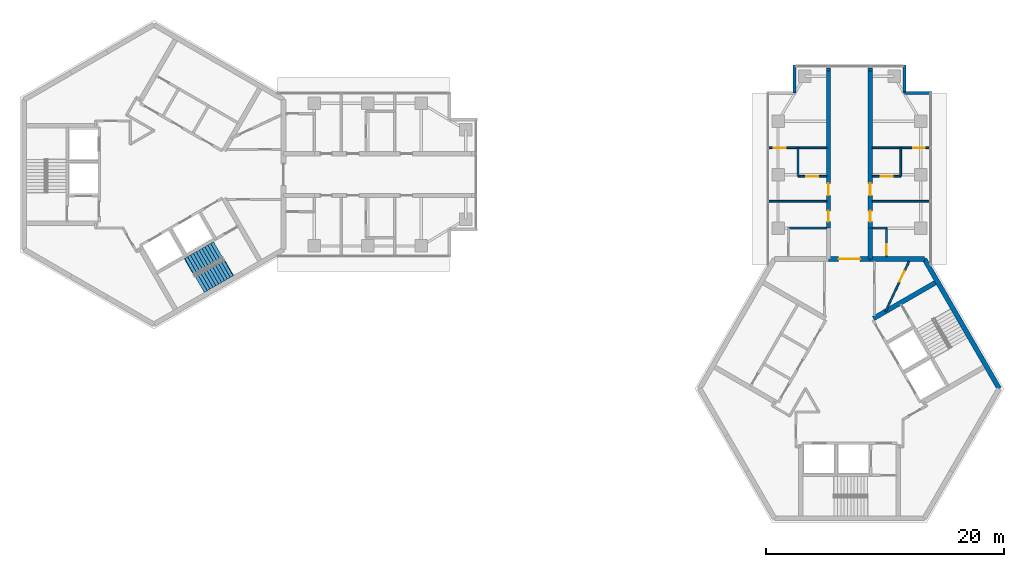
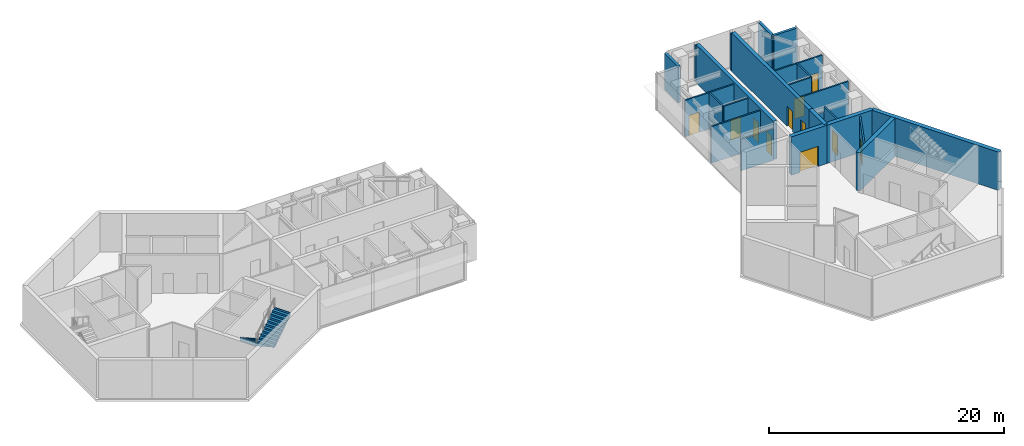
# One storey, part 9 of 11: 24 walls, 11 doors, 2 stair flights, 11 openings, 1 element without a shape of its own.
"""IFC4 building model written with IfcOpenShell, lengths in metres."""

import ifcopenshell
import ifcopenshell.guid

model = None  # the IFC model being written
_history = None  # IfcOwnerHistory: only IFC2X3 demands one
_inside = {}  # id of a spatial element -> (the spatial element, [elements in it])
_under = {}  # id of a project, library or spatial element -> (it, [spatial elements below it])
_declared = {}  # id of a project -> (the project, [libraries it declares])
_typed = {}  # id of a type object -> (the type object, [elements of that type])
_made_of = {}  # id of a material, layer set ... -> (it, [elements and type objects made of it])


def new_model(schema):
    """Start an empty IFC model of exactly this schema.

    Asked for "IFC4X3", IfcOpenShell would pick the latest addendum, in which some entities
    have other attributes; the version numbers below select the first issue.
    IFC2X3 requires an IfcOwnerHistory on every rooted entity: one is made here for all.
    """
    global model, _history
    if schema == "IFC4X3":
        model = ifcopenshell.file(schema_version=(4, 3, 0, 0))
    else:
        model = ifcopenshell.file(schema=schema)
    _inside.clear()
    _under.clear()
    _declared.clear()
    _typed.clear()
    _made_of.clear()
    _history = None
    if model.schema == "IFC2X3":
        org = make("IfcOrganization", Name="unknown")
        user = make(
            "IfcPersonAndOrganization",
            ThePerson=make("IfcPerson", FamilyName="unknown"),
            TheOrganization=org,
        )
        app = make(
            "IfcApplication",
            ApplicationDeveloper=org,
            Version="unknown",
            ApplicationFullName="unknown",
            ApplicationIdentifier="unknown",
        )
        _history = make(
            "IfcOwnerHistory",
            OwningUser=user,
            OwningApplication=app,
            ChangeAction="ADDED",
            CreationDate=0,
        )
    return model


def make(cls, **values):
    """One entity of the class cls with the attributes given. An attribute that is None is left unset."""
    return model.create_entity(
        cls, **{name: value for name, value in values.items() if value is not None}
    )


def rooted(cls, **values):
    """An entity with a GlobalId (a new one), such as an element, a storey or a relation."""
    return make(cls, GlobalId=ifcopenshell.guid.new(), OwnerHistory=_history, **values)


def si_unit(unit_type, name, prefix=None):
    """IfcSIUnit, for example si_unit("LENGTHUNIT", "METRE", prefix="MILLI")."""
    return make("IfcSIUnit", UnitType=unit_type, Prefix=prefix, Name=name)


def assignment(units):
    """IfcUnitAssignment: the units of a project."""
    return None if units is None else make("IfcUnitAssignment", Units=units)


def point(xyz):
    """IfcCartesianPoint."""
    return None if xyz is None else make("IfcCartesianPoint", Coordinates=xyz)


def direction(xyz):
    """IfcDirection."""
    return None if xyz is None else make("IfcDirection", DirectionRatios=xyz)


def frame(location, z_axis=None, x_axis=None):
    """IfcAxis2Placement3D, a coordinate frame: its origin and axes. An axis left out is left unset."""
    return make(
        "IfcAxis2Placement3D",
        Location=point(location),
        Axis=direction(z_axis),
        RefDirection=direction(x_axis),
    )


def frame_2d(location, x_axis=None):
    """IfcAxis2Placement2D, a coordinate frame in the plane: its origin and x axis."""
    return make(
        "IfcAxis2Placement2D", Location=point(location), RefDirection=direction(x_axis)
    )


def origin():
    """The frame at (0, 0, 0) with its axes left unset."""
    return frame((0.0, 0.0, 0.0))


def place(relative_to, where):
    """IfcLocalPlacement: puts the frame where relative to a parent placement (None: the world)."""
    return make(
        "IfcLocalPlacement", PlacementRelTo=relative_to, RelativePlacement=where
    )


def context(
    kind, dimensions, precision=None, world=None, true_north=None, identifier=None
):
    """IfcGeometricRepresentationContext, for example the 3D "Model" context."""
    return make(
        "IfcGeometricRepresentationContext",
        ContextIdentifier=identifier,
        ContextType=kind,
        CoordinateSpaceDimension=dimensions,
        Precision=precision,
        WorldCoordinateSystem=world,
        TrueNorth=true_north,
    )


def subcontext(parent, identifier, kind, view, scale=None):
    """IfcGeometricRepresentationSubContext, for example "Body" below "Model"."""
    return make(
        "IfcGeometricRepresentationSubContext",
        ContextIdentifier=identifier,
        ContextType=kind,
        ParentContext=parent,
        TargetScale=scale,
        TargetView=view,
    )


def project(units=None, contexts=None):
    """IfcProject with its units and contexts."""
    return rooted(
        "IfcProject",
        Name="project",
        RepresentationContexts=contexts,
        UnitsInContext=assignment(units),
    )


def spatial(cls, under=None, at=None, **own):
    """A site, building, storey or space (cls), placed at a placement, below another one or the project."""
    s = rooted(cls, ObjectPlacement=at, **own)
    if under is not None:
        _under.setdefault(under.id(), (under, []))[1].append(s)
    return s


def polyline(points):
    """IfcPolyline through the points."""
    return make("IfcPolyline", Points=[point(p) for p in points])


def profile(cls, at=None, kind="AREA", **sizes):
    """A parametric profile (cls). Its sizes go by their IFC names, for example OverallWidth=200.0."""
    return make(cls, ProfileType=kind, Position=at, **sizes)


def rectangle(**sizes):
    """IfcRectangleProfileDef."""
    return profile("IfcRectangleProfileDef", **sizes)


def outline(outer, holes=None, kind="AREA"):
    """IfcArbitraryClosedProfileDef: a profile drawn as a closed curve; with holes, ...WithVoids."""
    if holes is None:
        return make("IfcArbitraryClosedProfileDef", ProfileType=kind, OuterCurve=outer)
    return make(
        "IfcArbitraryProfileDefWithVoids",
        ProfileType=kind,
        OuterCurve=outer,
        InnerCurves=holes,
    )


def extrude(swept, where, along, depth):
    """IfcExtrudedAreaSolid: the profile swept, set in the frame where, extruded along a direction by depth."""
    return make(
        "IfcExtrudedAreaSolid",
        SweptArea=swept,
        Position=where,
        ExtrudedDirection=direction(along),
        Depth=depth,
    )


def shape(context_of_items, identifier, shape_type, items):
    """IfcShapeRepresentation: the items that make up one representation, for example the "Body"."""
    return make(
        "IfcShapeRepresentation",
        ContextOfItems=context_of_items,
        RepresentationIdentifier=identifier,
        RepresentationType=shape_type,
        Items=items,
    )


def material(Name=None, Category=None):
    """IfcMaterial."""
    return make("IfcMaterial", Name=Name, Category=Category)


def layer(
    of_material, thickness, ventilated=None, Name=None, Category=None, Priority=None
):
    """IfcMaterialLayer: one layer of a wall or slab, of a material (None: an air gap)."""
    return make(
        "IfcMaterialLayer",
        Material=of_material,
        LayerThickness=thickness,
        IsVentilated=ventilated,
        Name=Name,
        Category=Category,
        Priority=Priority,
    )


def layer_set(layers, Name=None):
    """IfcMaterialLayerSet."""
    return make("IfcMaterialLayerSet", MaterialLayers=layers, LayerSetName=Name)


def made_of(thing, what):
    """Note that an element or type object is made of a material, layer set ...; save() writes the relation."""
    if what is not None:
        _made_of.setdefault(what.id(), (what, []))[1].append(thing)
    return thing


def type_object(cls, material=None, **own):
    """A type object (cls), such as IfcWallType, which elements share."""
    return made_of(rooted(cls, **own), material)


def element(
    cls,
    number,
    at=None,
    inside=None,
    cuts=None,
    type_object=None,
    material=None,
    context=None,
    identifier="Body",
    shape_type=None,
    held_by="IfcProductDefinitionShape",
    body=None,
    shapes=None,
    **own,
):
    """One element of the class cls, such as IfcWall. Its Tag is "e" and its number.

    at: its placement. inside: the storey or other place that contains it. cuts: it is an
    opening in that element (IfcRelVoidsElement). A single representation is given by context,
    identifier, shape_type and body (its items); several are given by shapes. held_by: the class
    of the entity that holds the representations. save() writes the other relations.
    """
    e = rooted(cls, Tag="e%d" % number, ObjectPlacement=at, **own)
    if body is not None:
        shapes = [shape(context, identifier, shape_type, body)]
    if shapes is not None:
        e.Representation = make(held_by, Representations=shapes)
    if inside is not None:
        _inside.setdefault(inside.id(), (inside, []))[1].append(e)
    if cuts is not None:
        rooted(
            "IfcRelVoidsElement", RelatingBuildingElement=cuts, RelatedOpeningElement=e
        )
    if type_object is not None:
        _typed.setdefault(type_object.id(), (type_object, []))[1].append(e)
    return made_of(e, material)


def fill(opening, filler):
    """IfcRelFillsElement: the door or window that sits in an opening."""
    return rooted(
        "IfcRelFillsElement",
        RelatingOpeningElement=opening,
        RelatedBuildingElement=filler,
    )


def aggregate(whole, parts):
    """IfcRelAggregates: a whole, such as a stair, and the parts it consists of."""
    return rooted("IfcRelAggregates", RelatingObject=whole, RelatedObjects=parts)


def save(model, path):
    """Write the relations noted so far, then the file.

    IfcRelAggregates (storeys below a building ...), IfcRelContainedInSpatialStructure (elements
    in a storey), IfcRelDefinesByType, IfcRelAssociatesMaterial and IfcRelDeclares: one each for
    every whole, place, type object, material and project.
    """
    for whole, parts in _under.values():
        aggregate(whole, parts)
    for where, things in _inside.values():
        rooted(
            "IfcRelContainedInSpatialStructure",
            RelatedElements=things,
            RelatingStructure=where,
        )
    for kind, things in _typed.values():
        rooted("IfcRelDefinesByType", RelatedObjects=things, RelatingType=kind)
    for what, things in _made_of.values():
        rooted("IfcRelAssociatesMaterial", RelatedObjects=things, RelatingMaterial=what)
    for by, libraries in _declared.values():
        rooted("IfcRelDeclares", RelatingContext=by, RelatedDefinitions=libraries)
    model.write(path)


model = new_model("IFC4")

# Units and contexts
model_context = context("Model", 3, precision=1e-05, world=origin(), true_north=direction((0.0, 1.0)))
body_context = subcontext(model_context, "Body", "Model", "MODEL_VIEW")
ifc_project = project(units=[si_unit("LENGTHUNIT", "METRE"), si_unit("AREAUNIT", "SQUARE_METRE"), si_unit("VOLUMEUNIT", "CUBIC_METRE"), si_unit("PLANEANGLEUNIT", "RADIAN"), si_unit("MASSUNIT", "GRAM", prefix="KILO")], contexts=[model_context])

# Site, building, storey
site_placement = place(None, origin())
site = spatial("IfcSite", under=ifc_project, at=site_placement, CompositionType="ELEMENT")
building_placement = place(site_placement, origin())
building = spatial("IfcBuilding", under=site, at=building_placement, Name="Upepo Twin Towers", CompositionType="ELEMENT")
storey_placement = place(building_placement, frame((0.0, 0.0, 263.5)))
storey = spatial("IfcBuildingStorey", under=building, at=storey_placement, Name="L64", CompositionType="ELEMENT", Elevation=263.5)

# Walls
ifc_material_1 = material(Name="Dense concrete blockwork", Category="masonry")
ifc_layer_1 = layer(ifc_material_1, 0.35009765625)
ifc_layer_set_1 = layer_set([ifc_layer_1], Name="Buttress closer 350, blockwork with fire-stopping to the curtain wall")
wall_type_1 = type_object("IfcWallType", Name="Buttress closer 350, blockwork with fire-stopping to the curtain wall", PredefinedType="PARTITIONING", material=ifc_layer_set_1)
for number, where, z_axis, x_axis, name in (
    (1, (56.75, 8.699951171875, 0.0), (0.0, 0.0, 1.0), (0.0, 1.0, 0.0), "T2 L64 wing A buttress closer L"),
    (2, (60.25, 8.699951171875, 0.0), (0.0, 0.0, 1.0), (0.0, 1.0, 0.0), "T2 L64 wing A buttress closer R"),
):
    element("IfcWall", number, at=place(storey_placement, frame(where, z_axis=z_axis, x_axis=x_axis)), inside=storey, type_object=wall_type_1, Name=name, PredefinedType="PARTITIONING", context=body_context, shape_type="SweptSolid", body=[
        extrude(rectangle(XDim=0.275146484375, YDim=0.35009765625, at=frame_2d((0.1376953125, 0.0))), origin(), (0.0, 0.0, 1.0), 3.800048828125),
    ])

# Wall, openings, doors
ifc_material_2 = material(Name="Concrete C60/75", Category="concrete")
ifc_layer_2 = layer(ifc_material_2, 0.35009765625)
ifc_layer_set_2 = layer_set([ifc_layer_2], Name="Concrete C60/75")
wall_type_2 = type_object("IfcWallType", Name="Buttress wall 350 RC", PredefinedType="SHEAR", material=ifc_layer_set_2)
wall_1_placement = place(storey_placement, frame((56.75, -4.5, 0.0), z_axis=(0.0, 0.0, 1.0), x_axis=(0.0, 1.0, 0.0)))
wall_1 = element("IfcWall", 3, at=wall_1_placement, inside=storey, type_object=wall_type_2, Name="T2 wing A buttress wall L part 2", PredefinedType="SHEAR", context=body_context, shape_type="SweptSolid", body=[
    extrude(rectangle(XDim=13.199951171875, YDim=0.35009765625, at=frame_2d((6.60009765625, 0.0))), origin(), (0.0, 0.0, 1.0), 4.0),
])
opening_1_placement = place(wall_1_placement, frame((0.550048828125, 0.0, 0.0)))
opening_1 = element("IfcOpeningElement", 4, at=opening_1_placement, cuts=wall_1, Name="Opening D11", PredefinedType="OPENING", context=body_context, shape_type="SweptSolid", body=[
    extrude(rectangle(XDim=0.89990234375, YDim=2.10009765625, at=frame_2d((0.449951171875, 1.050048828125))), frame((0.0, 0.18505859375, 0.0), z_axis=(0.0, -1.0, 0.0), x_axis=(1.0, 0.0, 0.0)), (0.0, 0.0, 1.0), 0.3701171875),
])
opening_2_placement = place(wall_1_placement, frame((2.75, 0.0, 0.0)))
opening_2 = element("IfcOpeningElement", 5, at=opening_2_placement, cuts=wall_1, Name="Opening D1", PredefinedType="OPENING", context=body_context, shape_type="SweptSolid", body=[
    extrude(rectangle(XDim=1.0, YDim=2.10009765625, at=frame_2d((0.5, 1.050048828125))), frame((0.0, 0.18505859375, 0.0), z_axis=(0.0, -1.0, 0.0), x_axis=(1.0, 0.0, 0.0)), (0.0, 0.0, 1.0), 0.3701171875),
])
ifc_material_3 = material(Name="Timber doorset", Category="wood")
door_type_1 = type_object("IfcDoorType", Name="Room door 1000 FD30", OperationType="SINGLE_SWING_LEFT", PredefinedType="DOOR", material=ifc_material_3)
door_1_placement = place(opening_2_placement, origin())
door_1 = element("IfcDoor", 6, at=door_1_placement, inside=storey, type_object=door_type_1, Name="T2 L64 tutorial room door", OperationType="SINGLE_SWING_LEFT", OverallHeight=2.10009765625, OverallWidth=1.0, PredefinedType="DOOR", context=body_context, shape_type="SweptSolid", body=[
    extrude(rectangle(XDim=1.0, YDim=2.10009765625, at=frame_2d((0.5, 1.050048828125))), frame((0.0, 0.02490234375, 0.0), z_axis=(0.0, -1.0, 0.0), x_axis=(1.0, 0.0, 0.0)), (0.0, 0.0, 1.0), 0.050048828125),
])
fill(opening_2, door_1)
ifc_material_4 = material(Name="Timber doorset", Category="wood")
door_type_2 = type_object("IfcDoorType", Name="Toilet door 900", OperationType="SINGLE_SWING_LEFT", PredefinedType="DOOR", material=ifc_material_4)
door_2_placement = place(opening_1_placement, origin())
door_2 = element("IfcDoor", 7, at=door_2_placement, inside=storey, type_object=door_type_2, Name="T2 L64 accessible wc door", OperationType="SINGLE_SWING_LEFT", OverallHeight=2.10009765625, OverallWidth=0.89990234375, PredefinedType="DOOR", context=body_context, shape_type="SweptSolid", body=[
    extrude(rectangle(XDim=0.89990234375, YDim=2.10009765625, at=frame_2d((0.449951171875, 1.050048828125))), frame((0.0, 0.02490234375, 0.0), z_axis=(0.0, -1.0, 0.0), x_axis=(1.0, 0.0, 0.0)), (0.0, 0.0, 1.0), 0.050048828125),
])
fill(opening_1, door_2)

# Wall
wall_2_placement = place(storey_placement, frame((60.25, -7.091552734375, 0.0), z_axis=(0.0, 0.0, 1.0), x_axis=(0.0, 1.0, 0.0)))
element("IfcWall", 8, at=wall_2_placement, inside=storey, type_object=wall_type_2, Name="T2 wing A buttress wall R", PredefinedType="SHEAR", context=body_context, shape_type="SweptSolid", body=[
    extrude(rectangle(XDim=2.591552734375, YDim=0.35009765625, at=frame_2d((1.2958984375, 0.0))), origin(), (0.0, 0.0, 1.0), 4.0),
])

# Wall, openings, doors
wall_3_placement = place(storey_placement, frame((60.25, -4.5, 0.0), z_axis=(0.0, 0.0, 1.0), x_axis=(0.0, 1.0, 0.0)))
wall_3 = element("IfcWall", 9, at=wall_3_placement, inside=storey, type_object=wall_type_2, Name="T2 wing A buttress wall R part 2", PredefinedType="SHEAR", context=body_context, shape_type="SweptSolid", body=[
    extrude(rectangle(XDim=13.199951171875, YDim=0.35009765625, at=frame_2d((6.60009765625, 0.0))), origin(), (0.0, 0.0, 1.0), 4.0),
])
opening_3_placement = place(wall_3_placement, frame((0.550048828125, 0.0, 0.0)))
opening_3 = element("IfcOpeningElement", 10, at=opening_3_placement, cuts=wall_3, Name="Opening D11", PredefinedType="OPENING", context=body_context, shape_type="SweptSolid", body=[
    extrude(rectangle(XDim=0.89990234375, YDim=2.10009765625, at=frame_2d((0.449951171875, 1.050048828125))), frame((0.0, 0.18505859375, 0.0), z_axis=(0.0, -1.0, 0.0), x_axis=(1.0, 0.0, 0.0)), (0.0, 0.0, 1.0), 0.3701171875),
])
opening_4_placement = place(wall_3_placement, frame((2.75, 0.0, 0.0)))
opening_4 = element("IfcOpeningElement", 11, at=opening_4_placement, cuts=wall_3, Name="Opening D1", PredefinedType="OPENING", context=body_context, shape_type="SweptSolid", body=[
    extrude(rectangle(XDim=1.0, YDim=2.10009765625, at=frame_2d((0.5, 1.050048828125))), frame((0.0, 0.18505859375, 0.0), z_axis=(0.0, -1.0, 0.0), x_axis=(1.0, 0.0, 0.0)), (0.0, 0.0, 1.0), 0.3701171875),
])
door_3_placement = place(opening_4_placement, origin())
door_3 = element("IfcDoor", 12, at=door_3_placement, inside=storey, type_object=door_type_1, Name="T2 L64 seminar room door", OperationType="SINGLE_SWING_LEFT", OverallHeight=2.10009765625, OverallWidth=1.0, PredefinedType="DOOR", context=body_context, shape_type="SweptSolid", body=[
    extrude(rectangle(XDim=1.0, YDim=2.10009765625, at=frame_2d((0.5, 1.050048828125))), frame((0.0, 0.02490234375, 0.0), z_axis=(0.0, -1.0, 0.0), x_axis=(1.0, 0.0, 0.0)), (0.0, 0.0, 1.0), 0.050048828125),
])
fill(opening_4, door_3)
door_4_placement = place(opening_3_placement, origin())
door_4 = element("IfcDoor", 13, at=door_4_placement, inside=storey, type_object=door_type_2, Name="T2 L64 toilets door", OperationType="SINGLE_SWING_LEFT", OverallHeight=2.10009765625, OverallWidth=0.89990234375, PredefinedType="DOOR", context=body_context, shape_type="SweptSolid", body=[
    extrude(rectangle(XDim=0.89990234375, YDim=2.10009765625, at=frame_2d((0.449951171875, 1.050048828125))), frame((0.0, 0.02490234375, 0.0), z_axis=(0.0, -1.0, 0.0), x_axis=(1.0, 0.0, 0.0)), (0.0, 0.0, 1.0), 0.050048828125),
])
fill(opening_3, door_4)

# Wall
ifc_material_5 = material(Name="Concrete C60/75", Category="concrete")
ifc_layer_3 = layer(ifc_material_5, 0.39990234375)
ifc_layer_set_3 = layer_set([ifc_layer_3], Name="Concrete C60/75")
wall_type_3 = type_object("IfcWallType", Name="Core wall 400 RC", PredefinedType="SHEAR", material=ifc_layer_set_3)
wall_4_placement = place(storey_placement, frame((64.7978515625, -7.091552734375, 0.0), z_axis=(0.0, 0.0, 1.0), x_axis=(-1.0, 0.0, 0.0)))
element("IfcWall", 14, at=wall_4_placement, inside=storey, type_object=wall_type_3, Name="T2 core wall 000 R", PredefinedType="SHEAR", context=body_context, shape_type="SweptSolid", body=[
    extrude(rectangle(XDim=4.5478515625, YDim=0.39990234375, at=frame_2d((2.27392578125, 0.0))), origin(), (0.0, 0.0, 1.0), 4.0),
])

# Wall, opening, door
wall_5_placement = place(storey_placement, frame((60.25, -7.091552734375, 0.0), z_axis=(0.0, 0.0, 1.0), x_axis=(-1.0, 0.0, 0.0)))
wall_5 = element("IfcWall", 15, at=wall_5_placement, inside=storey, type_object=wall_type_3, Name="T2 core wall 000", PredefinedType="SHEAR", context=body_context, shape_type="SweptSolid", body=[
    extrude(rectangle(XDim=3.5, YDim=0.39990234375, at=frame_2d((1.75, 0.0))), origin(), (0.0, 0.0, 1.0), 4.0),
])
opening_5_placement = place(wall_5_placement, frame((0.85009765625, 0.0, 0.0)))
opening_5 = element("IfcOpeningElement", 16, at=opening_5_placement, cuts=wall_5, Name="Opening D2", PredefinedType="OPENING", context=body_context, shape_type="SweptSolid", body=[
    extrude(rectangle(XDim=1.800048828125, YDim=2.10009765625, at=frame_2d((0.89990234375, 1.050048828125))), frame((0.0, 0.2099609375, 0.0), z_axis=(0.0, -1.0, 0.0), x_axis=(1.0, 0.0, 0.0)), (0.0, 0.0, 1.0), 0.419921875),
])
ifc_material_6 = material(Name="Timber doorset", Category="wood")
door_type_3 = type_object("IfcDoorType", Name="Corridor double door 1800 FD60", OperationType="DOUBLE_DOOR_DOUBLE_SWING", PredefinedType="DOOR", material=ifc_material_6)
door_5_placement = place(opening_5_placement, origin())
door_5 = element("IfcDoor", 17, at=door_5_placement, inside=storey, type_object=door_type_3, Name="T2 L64 wing A corridor door", OperationType="DOUBLE_DOOR_DOUBLE_SWING", OverallHeight=2.10009765625, OverallWidth=1.800048828125, PredefinedType="DOOR", context=body_context, shape_type="SweptSolid", body=[
    extrude(rectangle(XDim=1.800048828125, YDim=2.10009765625, at=frame_2d((0.89990234375, 1.050048828125))), frame((0.0, 0.02490234375, 0.0), z_axis=(0.0, -1.0, 0.0), x_axis=(1.0, 0.0, 0.0)), (0.0, 0.0, 1.0), 0.050048828125),
])
fill(opening_5, door_5)

# Walls
wall_6_placement = place(storey_placement, frame((71.095947265625, -18.0, 0.0), z_axis=(0.0, 0.0, 1.0), x_axis=(-0.500005998175, 0.866021940709, 0.0)))
element("IfcWall", 18, at=wall_6_placement, inside=storey, type_object=wall_type_3, Name="T2 core wall 300", PredefinedType="SHEAR", context=body_context, shape_type="SweptSolid", body=[
    extrude(rectangle(XDim=12.595947265625, YDim=0.39990234375, at=frame_2d((6.2978515625, 0.0))), origin(), (0.0, 0.0, 1.0), 4.0),
])
ifc_material_7 = material(Name="Blockwork with anodised aluminium cladding", Category="masonry")
ifc_layer_4 = layer(ifc_material_7, 0.25)
ifc_layer_set_4 = layer_set([ifc_layer_4], Name="Notch cladding wall 250, pale metal")
wall_type_4 = type_object("IfcWallType", Name="Notch cladding wall 250, pale metal", PredefinedType="STANDARD", material=ifc_layer_set_4)
for number, where, z_axis, x_axis, name in (
    (19, (53.875, 6.875, 0.0), (0.0, 0.0, 1.0), (0.0, 1.0, 0.0), "T2 L64 wing A notch wall L2"),
    (20, (65.449951171875, 6.875, 0.0), (0.0, 0.0, 1.0), (-1.0, 0.0, 0.0), "T2 L64 wing A notch wall R1"),
    (21, (63.125, 6.875, 0.0), (0.0, 0.0, 1.0), (0.0, 1.0, 0.0), "T2 L64 wing A notch wall R2"),
):
    element("IfcWall", number, at=place(storey_placement, frame(where, z_axis=z_axis, x_axis=x_axis)), inside=storey, type_object=wall_type_4, Name=name, PredefinedType="STANDARD", context=body_context, shape_type="SweptSolid", body=[
        extrude(rectangle(XDim=2.324951171875, YDim=0.25, at=frame_2d((1.16259765625, 0.0))), origin(), (0.0, 0.0, 1.0), 3.800048828125),
    ])
ifc_material_8 = material(Name="Concrete C40/50", Category="concrete")
ifc_layer_5 = layer(ifc_material_8, 0.39990234375)
ifc_layer_set_5 = layer_set([ifc_layer_5], Name="Concrete C40/50")
wall_type_5 = type_object("IfcWallType", Name="Shaft wall 400 RC", PredefinedType="SHEAR", material=ifc_layer_set_5)
wall_7_placement = place(storey_placement, frame((60.520263671875, -12.099365234375, 0.0), z_axis=(0.0, 0.0, 1.0), x_axis=(0.866026570101, 0.499997979876, 0.0)))
element("IfcWall", 22, at=wall_7_placement, inside=storey, type_object=wall_type_5, Name="T2 core W300 side wall N", PredefinedType="SHEAR", context=body_context, shape_type="SweptSolid", body=[
    extrude(rectangle(XDim=6.00830078125, YDim=0.39990234375, at=frame_2d((3.004150390625, 0.0))), origin(), (0.0, 0.0, 1.0), 4.0),
])
ifc_material_9 = material(Name="Gypsum board on steel studs", Category="steel")
ifc_layer_6 = layer(ifc_material_9, 0.14990234375)
ifc_layer_set_6 = layer_set([ifc_layer_6], Name="Teaching partition 150 acoustic")
wall_type_6 = type_object("IfcWallType", Name="Teaching partition 150 acoustic", PredefinedType="PARTITIONING", material=ifc_layer_set_6)
wall_8_placement = place(storey_placement, frame((56.574951171875, -2.25, 0.0), z_axis=(0.0, 0.0, 1.0), x_axis=(-1.0, 0.0, 0.0)))
element("IfcWall", 23, at=wall_8_placement, inside=storey, type_object=wall_type_6, Name="T2 partition AL at 15.75", PredefinedType="PARTITIONING", context=body_context, shape_type="SweptSolid", body=[
    extrude(rectangle(XDim=4.824951171875, YDim=0.14990234375, at=frame_2d((2.41259765625, 0.0))), origin(), (0.0, 0.0, 1.0), 3.800048828125),
])

# Wall, opening, door
wall_9_placement = place(storey_placement, frame((56.574951171875, 2.25, 0.0), z_axis=(0.0, 0.0, 1.0), x_axis=(-1.0, 0.0, 0.0)))
wall_9 = element("IfcWall", 24, at=wall_9_placement, inside=storey, type_object=wall_type_6, Name="T2 partition AL at 20.25", PredefinedType="PARTITIONING", context=body_context, shape_type="SweptSolid", body=[
    extrude(rectangle(XDim=4.824951171875, YDim=0.14990234375, at=frame_2d((2.41259765625, 0.0))), origin(), (0.0, 0.0, 1.0), 3.800048828125),
])
opening_6_placement = place(wall_9_placement, frame((3.425048828125, 0.0, 0.0)))
opening_6 = element("IfcOpeningElement", 25, at=opening_6_placement, cuts=wall_9, Name="Opening D1", PredefinedType="OPENING", context=body_context, shape_type="SweptSolid", body=[
    extrude(rectangle(XDim=1.0, YDim=2.10009765625, at=frame_2d((0.5, 1.050048828125))), frame((0.0, 0.0849609375, 0.0), z_axis=(0.0, -1.0, 0.0), x_axis=(1.0, 0.0, 0.0)), (0.0, 0.0, 1.0), 0.169921875),
])
door_6_placement = place(opening_6_placement, origin())
door_6 = element("IfcDoor", 26, at=door_6_placement, inside=storey, type_object=door_type_1, Name="T2 L64 connecting door", OperationType="SINGLE_SWING_RIGHT", OverallHeight=2.10009765625, OverallWidth=1.0, PredefinedType="DOOR", context=body_context, shape_type="SweptSolid", body=[
    extrude(rectangle(XDim=1.0, YDim=2.10009765625, at=frame_2d((0.5, 1.050048828125))), frame((0.0, 0.02490234375, 0.0), z_axis=(0.0, -1.0, 0.0), x_axis=(1.0, 0.0, 0.0)), (0.0, 0.0, 1.0), 0.050048828125),
])
fill(opening_6, door_6)

# Wall
wall_10_placement = place(storey_placement, frame((54.175048828125, -0.14990234375, 0.0), z_axis=(0.0, 0.0, 1.0), x_axis=(0.0, 1.0, 0.0)))
element("IfcWall", 27, at=wall_10_placement, inside=storey, type_object=wall_type_6, Name="T2 inner room partition AL at 17.85", PredefinedType="PARTITIONING", context=body_context, shape_type="SweptSolid", body=[
    extrude(rectangle(XDim=2.39990234375, YDim=0.14990234375, at=frame_2d((1.199951171875, 0.0))), origin(), (0.0, 0.0, 1.0), 3.800048828125),
])

# Wall, opening, door
wall_11_placement = place(storey_placement, frame((56.574951171875, -0.14990234375, 0.0), z_axis=(0.0, 0.0, 1.0), x_axis=(-1.0, 0.0, 0.0)))
wall_11 = element("IfcWall", 28, at=wall_11_placement, inside=storey, type_object=wall_type_6, Name="T2 inner room partition AL end at 17.85", PredefinedType="PARTITIONING", context=body_context, shape_type="SweptSolid", body=[
    extrude(rectangle(XDim=2.39990234375, YDim=0.14990234375, at=frame_2d((1.199951171875, 0.0))), origin(), (0.0, 0.0, 1.0), 3.800048828125),
])
opening_7_placement = place(wall_11_placement, frame((0.699951171875, 0.0, 0.0)))
opening_7 = element("IfcOpeningElement", 29, at=opening_7_placement, cuts=wall_11, Name="Opening D1", PredefinedType="OPENING", context=body_context, shape_type="SweptSolid", body=[
    extrude(rectangle(XDim=1.0, YDim=2.10009765625, at=frame_2d((0.5, 1.050048828125))), frame((0.0, 0.0849609375, 0.0), z_axis=(0.0, -1.0, 0.0), x_axis=(1.0, 0.0, 0.0)), (0.0, 0.0, 1.0), 0.169921875),
])
door_7_placement = place(opening_7_placement, origin())
door_7 = element("IfcDoor", 30, at=door_7_placement, inside=storey, type_object=door_type_1, Name="T2 L64 inner room door", OperationType="SINGLE_SWING_LEFT", OverallHeight=2.10009765625, OverallWidth=1.0, PredefinedType="DOOR", context=body_context, shape_type="SweptSolid", body=[
    extrude(rectangle(XDim=1.0, YDim=2.10009765625, at=frame_2d((0.5, 1.050048828125))), frame((0.0, 0.02490234375, 0.0), z_axis=(0.0, -1.0, 0.0), x_axis=(1.0, 0.0, 0.0)), (0.0, 0.0, 1.0), 0.050048828125),
])
fill(opening_7, door_7)

# Walls
wall_12_placement = place(storey_placement, frame((56.574951171875, -4.491943359375, 0.0), z_axis=(0.0, 0.0, 1.0), x_axis=(-1.0, 0.0, 0.0)))
element("IfcWall", 31, at=wall_12_placement, inside=storey, type_object=wall_type_6, Name="T2 WC bay partition AL end at 13.51", PredefinedType="PARTITIONING", context=body_context, shape_type="SweptSolid", body=[
    extrude(rectangle(XDim=3.199951171875, YDim=0.14990234375, at=frame_2d((1.60009765625, 0.0))), origin(), (0.0, 0.0, 1.0), 3.266845703125),
])
wall_13_placement = place(storey_placement, frame((60.425048828125, -2.25, 0.0), z_axis=(0.0, 0.0, 1.0), x_axis=(1.0, 0.0, 0.0)))
element("IfcWall", 32, at=wall_13_placement, inside=storey, type_object=wall_type_6, Name="T2 partition AR at 15.75", PredefinedType="PARTITIONING", context=body_context, shape_type="SweptSolid", body=[
    extrude(rectangle(XDim=4.824951171875, YDim=0.14990234375, at=frame_2d((2.41259765625, 0.0))), origin(), (0.0, 0.0, 1.0), 3.800048828125),
])

# Wall, opening, door
wall_14_placement = place(storey_placement, frame((60.425048828125, 2.25, 0.0), z_axis=(0.0, 0.0, 1.0), x_axis=(1.0, 0.0, 0.0)))
wall_14 = element("IfcWall", 33, at=wall_14_placement, inside=storey, type_object=wall_type_6, Name="T2 partition AR at 20.25", PredefinedType="PARTITIONING", context=body_context, shape_type="SweptSolid", body=[
    extrude(rectangle(XDim=4.824951171875, YDim=0.14990234375, at=frame_2d((2.41259765625, 0.0))), origin(), (0.0, 0.0, 1.0), 3.800048828125),
])
opening_8_placement = place(wall_14_placement, frame((3.425048828125, 0.0, 0.0)))
opening_8 = element("IfcOpeningElement", 34, at=opening_8_placement, cuts=wall_14, Name="Opening D1", PredefinedType="OPENING", context=body_context, shape_type="SweptSolid", body=[
    extrude(rectangle(XDim=1.0, YDim=2.10009765625, at=frame_2d((0.5, 1.050048828125))), frame((0.0, 0.0849609375, 0.0), z_axis=(0.0, -1.0, 0.0), x_axis=(1.0, 0.0, 0.0)), (0.0, 0.0, 1.0), 0.169921875),
])
door_8_placement = place(opening_8_placement, origin())
door_8 = element("IfcDoor", 35, at=door_8_placement, inside=storey, type_object=door_type_1, Name="T2 L64 connecting door", OperationType="SINGLE_SWING_RIGHT", OverallHeight=2.10009765625, OverallWidth=1.0, PredefinedType="DOOR", context=body_context, shape_type="SweptSolid", body=[
    extrude(rectangle(XDim=1.0, YDim=2.10009765625, at=frame_2d((0.5, 1.050048828125))), frame((0.0, 0.02490234375, 0.0), z_axis=(0.0, -1.0, 0.0), x_axis=(1.0, 0.0, 0.0)), (0.0, 0.0, 1.0), 0.050048828125),
])
fill(opening_8, door_8)

# Wall
wall_15_placement = place(storey_placement, frame((62.824951171875, -0.14990234375, 0.0), z_axis=(0.0, 0.0, 1.0), x_axis=(0.0, 1.0, 0.0)))
element("IfcWall", 36, at=wall_15_placement, inside=storey, type_object=wall_type_6, Name="T2 inner room partition AR at 17.85", PredefinedType="PARTITIONING", context=body_context, shape_type="SweptSolid", body=[
    extrude(rectangle(XDim=2.39990234375, YDim=0.14990234375, at=frame_2d((1.199951171875, 0.0))), origin(), (0.0, 0.0, 1.0), 3.800048828125),
])

# Wall, opening, door
wall_16_placement = place(storey_placement, frame((60.425048828125, -0.14990234375, 0.0), z_axis=(0.0, 0.0, 1.0), x_axis=(1.0, 0.0, 0.0)))
wall_16 = element("IfcWall", 37, at=wall_16_placement, inside=storey, type_object=wall_type_6, Name="T2 inner room partition AR end at 17.85", PredefinedType="PARTITIONING", context=body_context, shape_type="SweptSolid", body=[
    extrude(rectangle(XDim=2.39990234375, YDim=0.14990234375, at=frame_2d((1.199951171875, 0.0))), origin(), (0.0, 0.0, 1.0), 3.800048828125),
])
opening_9_placement = place(wall_16_placement, frame((0.699951171875, 0.0, 0.0)))
opening_9 = element("IfcOpeningElement", 38, at=opening_9_placement, cuts=wall_16, Name="Opening D1", PredefinedType="OPENING", context=body_context, shape_type="SweptSolid", body=[
    extrude(rectangle(XDim=1.0, YDim=2.10009765625, at=frame_2d((0.5, 1.050048828125))), frame((0.0, 0.0849609375, 0.0), z_axis=(0.0, -1.0, 0.0), x_axis=(1.0, 0.0, 0.0)), (0.0, 0.0, 1.0), 0.169921875),
])
door_9_placement = place(opening_9_placement, origin())
door_9 = element("IfcDoor", 39, at=door_9_placement, inside=storey, type_object=door_type_1, Name="T2 L64 inner room door", OperationType="SINGLE_SWING_LEFT", OverallHeight=2.10009765625, OverallWidth=1.0, PredefinedType="DOOR", context=body_context, shape_type="SweptSolid", body=[
    extrude(rectangle(XDim=1.0, YDim=2.10009765625, at=frame_2d((0.5, 1.050048828125))), frame((0.0, 0.02490234375, 0.0), z_axis=(0.0, -1.0, 0.0), x_axis=(1.0, 0.0, 0.0)), (0.0, 0.0, 1.0), 0.050048828125),
])
fill(opening_9, door_9)

wall_17_placement = place(storey_placement, frame((61.625, -6.89208984375, 0.0), z_axis=(0.0, 0.0, 1.0), x_axis=(0.0, 1.0, 0.0)))
wall_17 = element("IfcWall", 40, at=wall_17_placement, inside=storey, type_object=wall_type_6, Name="T2 WC bay partition AR at 11.11", PredefinedType="PARTITIONING", context=body_context, shape_type="SweptSolid", body=[
    extrude(rectangle(XDim=2.400146484375, YDim=0.14990234375, at=frame_2d((1.2001953125, 0.0))), origin(), (0.0, 0.0, 1.0), 3.800048828125),
])
opening_10_placement = place(wall_17_placement, frame((0.14990234375, 0.0, 0.0)))
opening_10 = element("IfcOpeningElement", 41, at=opening_10_placement, cuts=wall_17, Name="Opening D14", PredefinedType="OPENING", context=body_context, shape_type="SweptSolid", body=[
    extrude(rectangle(XDim=0.89990234375, YDim=2.10009765625, at=frame_2d((0.449951171875, 1.050048828125))), frame((0.0, 0.0849609375, 0.0), z_axis=(0.0, -1.0, 0.0), x_axis=(1.0, 0.0, 0.0)), (0.0, 0.0, 1.0), 0.169921875),
])
ifc_material_10 = material(Name="Timber doorset", Category="wood")
door_type_4 = type_object("IfcDoorType", Name="Office door 900 FD30", OperationType="SINGLE_SWING_LEFT", PredefinedType="DOOR", material=ifc_material_10)
door_10_placement = place(opening_10_placement, origin())
door_10 = element("IfcDoor", 42, at=door_10_placement, inside=storey, type_object=door_type_4, Name="T2 L64 WC bay inner room door", OperationType="SINGLE_SWING_LEFT", OverallHeight=2.10009765625, OverallWidth=0.89990234375, PredefinedType="DOOR", context=body_context, shape_type="SweptSolid", body=[
    extrude(rectangle(XDim=0.89990234375, YDim=2.10009765625, at=frame_2d((0.449951171875, 1.050048828125))), frame((0.0, 0.02490234375, 0.0), z_axis=(0.0, -1.0, 0.0), x_axis=(1.0, 0.0, 0.0)), (0.0, 0.0, 1.0), 0.050048828125),
])
fill(opening_10, door_10)

# Wall
wall_18_placement = place(storey_placement, frame((60.425048828125, -4.491943359375, 0.0), z_axis=(0.0, 0.0, 1.0), x_axis=(1.0, 0.0, 0.0)))
element("IfcWall", 43, at=wall_18_placement, inside=storey, type_object=wall_type_6, Name="T2 WC bay partition AR end at 13.51", PredefinedType="PARTITIONING", context=body_context, shape_type="SweptSolid", body=[
    extrude(rectangle(XDim=1.199951171875, YDim=0.14990234375, at=frame_2d((0.60009765625, 0.0))), origin(), (0.0, 0.0, 1.0), 3.266845703125),
])

# Wall, opening, door
wall_19_placement = place(storey_placement, frame((61.539794921875, -11.5107421875, 0.0), z_axis=(0.0, 0.0, 1.0), x_axis=(0.424198910408, 0.905569039007, 0.0)))
wall_19 = element("IfcWall", 44, at=wall_19_placement, inside=storey, type_object=wall_type_6, Name="T2 core room partition 14", PredefinedType="PARTITIONING", context=body_context, shape_type="SweptSolid", body=[
    extrude(rectangle(XDim=4.658935546875, YDim=0.14990234375, at=frame_2d((2.32958984375, 0.0))), origin(), (0.0, 0.0, 1.0), 3.800048828125),
])
opening_11_placement = place(wall_19_placement, frame((2.76123046875, 0.0, 0.0)))
opening_11 = element("IfcOpeningElement", 45, at=opening_11_placement, cuts=wall_19, Name="Opening D1", PredefinedType="OPENING", context=body_context, shape_type="SweptSolid", body=[
    extrude(rectangle(XDim=1.0, YDim=2.10009765625, at=frame_2d((0.5, 1.050048828125))), frame((0.0, 0.0849609375, 0.0), z_axis=(0.0, -1.0, 0.0), x_axis=(1.0, 0.0, 0.0)), (0.0, 0.0, 1.0), 0.169921875),
])
door_11_placement = place(opening_11_placement, origin())
door_11 = element("IfcDoor", 46, at=door_11_placement, inside=storey, type_object=door_type_1, Name="T2 L64 core room door K4", OperationType="SINGLE_SWING_RIGHT", OverallHeight=2.10009765625, OverallWidth=1.0, PredefinedType="DOOR", context=body_context, shape_type="SweptSolid", body=[
    extrude(rectangle(XDim=1.0, YDim=2.10009765625, at=frame_2d((0.5, 1.050048828125))), frame((0.0, 0.02490234375, 0.0), z_axis=(0.0, -1.0, 0.0), x_axis=(1.0, 0.0, 0.0)), (0.0, 0.0, 1.0), 0.050048828125),
])
fill(opening_11, door_11)

# Stair, stair flights
ifc_material_11 = material(Name="Concrete C40/50", Category="concrete")
stair_type = type_object("IfcStairType", Name="Core stair, two flights", PredefinedType="HALF_TURN_STAIR", material=ifc_material_11)
stair_placement = place(storey_placement, origin())
stair = element("IfcStair", 47, at=stair_placement, inside=storey, type_object=stair_type, Name="T1 stair S2 L64", PredefinedType="HALF_TURN_STAIR")
ifc_material_12 = material(Name="Concrete C40/50", Category="concrete")
stair_flight_type = type_object("IfcStairFlightType", Name="Stair flight 1600 RC", PredefinedType="STRAIGHT", material=ifc_material_12)
stair_flight_1_placement = place(storey_placement, frame((5.416259765625, -6.34130859375, 0.0), z_axis=(0.0, 0.0, 1.0), x_axis=(-0.866025403784, -0.5, 0.0)))
stair_flight_1 = element("IfcStairFlight", 48, at=stair_flight_1_placement, type_object=stair_flight_type, Name="Stair S2 flight 1", NumberOfRisers=11, NumberOfTreads=10, PredefinedType="STRAIGHT", RiserHeight=0.181818182, TreadLength=0.28, context=body_context, shape_type="SweptSolid", body=[
    extrude(outline(polyline([(0.0, 0.0), (0.0, 0.181884765625), (0.280029296875, 0.181884765625), (0.280029296875, 0.363525390625), (0.56005859375, 0.363525390625), (0.56005859375, 0.54541015625), (0.840087890625, 0.54541015625), (0.840087890625, 0.727294921875), (1.1201171875, 0.727294921875), (1.1201171875, 0.9091796875), (1.39990234375, 0.9091796875), (1.39990234375, 1.0908203125), (1.679931640625, 1.0908203125), (1.679931640625, 1.272705078125), (1.9599609375, 1.272705078125), (1.9599609375, 1.45458984375), (2.239990234375, 1.45458984375), (2.239990234375, 1.636474609375), (2.52001953125, 1.636474609375), (2.52001953125, 1.818115234375), (2.800048828125, 1.818115234375), (2.800048828125, 2.0), (2.85009765625, 2.0), (2.85009765625, 1.639404296875), (0.3251953125, 0.0), (0.0, 0.0)])), frame((0.0, 0.800048828125, 0.0), z_axis=(0.0, -1.0, 0.0), x_axis=(1.0, 0.0, 0.0)), (0.0, 0.0, 1.0), 1.60009765625),
])
stair_flight_2_placement = place(storey_placement, frame((3.845703125, -9.220947265625, 2.0), z_axis=(0.0, 0.0, 1.0), x_axis=(0.866025403784, 0.5, 0.0)))
stair_flight_2 = element("IfcStairFlight", 49, at=stair_flight_2_placement, type_object=stair_flight_type, Name="Stair S2 flight 2", NumberOfRisers=11, NumberOfTreads=10, PredefinedType="STRAIGHT", RiserHeight=0.181818182, TreadLength=0.28, context=body_context, shape_type="SweptSolid", body=[
    extrude(outline(polyline([(0.0, 0.0), (0.0, 0.181884765625), (0.280029296875, 0.181884765625), (0.280029296875, 0.363525390625), (0.56005859375, 0.363525390625), (0.56005859375, 0.54541015625), (0.840087890625, 0.54541015625), (0.840087890625, 0.727294921875), (1.1201171875, 0.727294921875), (1.1201171875, 0.9091796875), (1.39990234375, 0.9091796875), (1.39990234375, 1.0908203125), (1.679931640625, 1.0908203125), (1.679931640625, 1.272705078125), (1.9599609375, 1.272705078125), (1.9599609375, 1.45458984375), (2.239990234375, 1.45458984375), (2.239990234375, 1.636474609375), (2.52001953125, 1.636474609375), (2.52001953125, 1.818115234375), (2.800048828125, 1.818115234375), (2.800048828125, 2.0), (2.85009765625, 2.0), (2.85009765625, 1.639404296875), (0.3251953125, 0.0), (0.0, 0.0)])), frame((0.0, 0.800048828125, 0.0), z_axis=(0.0, -1.0, 0.0), x_axis=(1.0, 0.0, 0.0)), (0.0, 0.0, 1.0), 1.60009765625),
])
aggregate(stair, [stair_flight_1, stair_flight_2])

save(model, "model.ifc")
